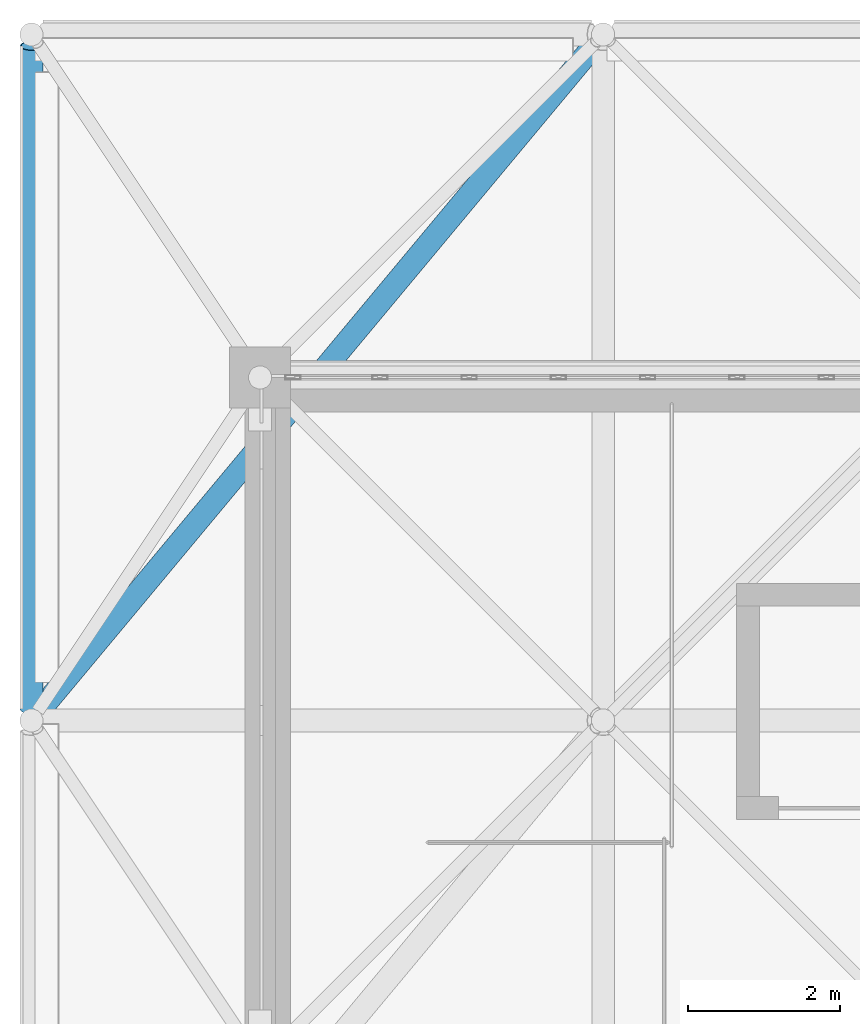
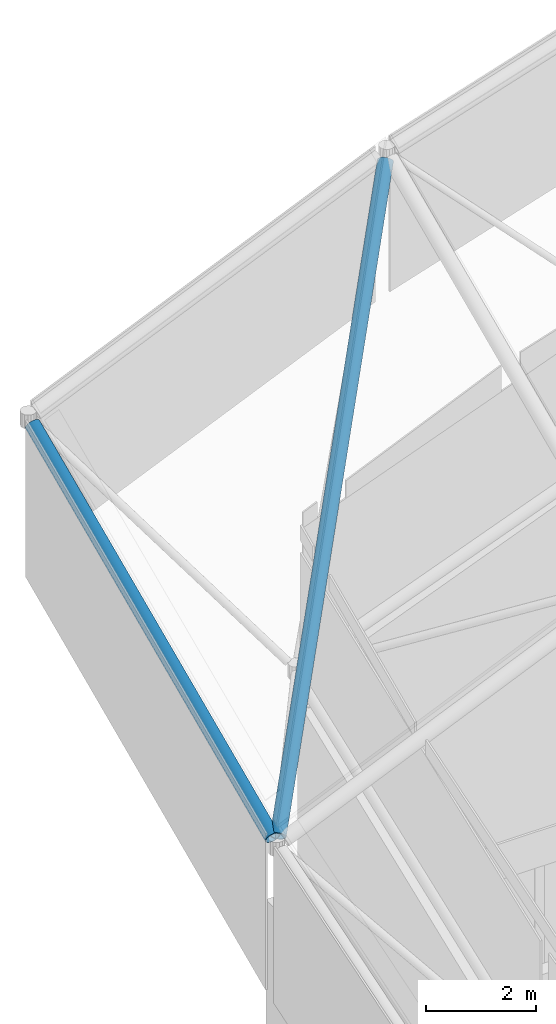
# One storey, part 102 of 437: 2 members.
"""IFC4 building model written with IfcOpenShell, lengths in metres."""

from ifc_helpers import new_model, si_unit, direction, frame, origin, origin_2d, place, context, subcontext, project, spatial, hollow_circle, extrude, material, material_profile, profile_set, type_object, element, save


model = new_model("IFC4")

# Units and contexts
model_context = context("Model", 3, precision=1e-05, world=origin(), true_north=direction((0.0, 1.0)))
body_context = subcontext(model_context, "Body", "Model", "MODEL_VIEW")
ifc_project = project(units=[si_unit("LENGTHUNIT", "METRE"), si_unit("AREAUNIT", "SQUARE_METRE"), si_unit("VOLUMEUNIT", "CUBIC_METRE"), si_unit("PLANEANGLEUNIT", "RADIAN"), si_unit("MASSUNIT", "GRAM", prefix="KILO")], contexts=[model_context])

# Site, building, storey
site_placement = place(None, origin())
site = spatial("IfcSite", under=ifc_project, at=site_placement, CompositionType="ELEMENT")
building_placement = place(site_placement, origin())
building = spatial("IfcBuilding", under=site, at=building_placement, Name="Opaline Strait Convention Centre", CompositionType="ELEMENT")
storey_placement = place(building_placement, frame((0.0, 0.0, 11.5)))
storey = spatial("IfcBuildingStorey", under=building, at=storey_placement, Name="L02", CompositionType="ELEMENT", Elevation=11.5)

# Members
ifc_material = material(Name="Steel Q355B", Category="steel")
ifc_material_profile = material_profile(ifc_material, hollow_circle(Radius=0.1494140625, WallThickness=0.01611328125, at=origin_2d()), Name="CHS 299x16")
ifc_profile_set = profile_set([ifc_material_profile], Name="Steel Q355B")
member_type = type_object("IfcMemberType", Name="Shell truss top chord CHS 299x16", PredefinedType="CHORD", material=ifc_profile_set)
member_1_placement = place(storey_placement, frame((6.0, 175.64990234375, 10.65771484375), z_axis=(0.0, 0.913813663494, 0.406133707555), x_axis=(-1.0, 0.0, 0.0)))
element("IfcMember", 1, at=member_1_placement, inside=storey, type_object=member_type, Name="PTC1 top chord Y1-8", PredefinedType="CHORD", context=body_context, shape_type="SweptSolid", body=[
    extrude(hollow_circle(Radius=0.1494140625, WallThickness=0.01611328125, at=origin_2d()), origin(), (0.0, 0.0, 1.0), 9.520751953125),
])
member_2_placement = place(storey_placement, frame((6.095947265625, 175.615234375, 10.683837890625), z_axis=(0.544298715513, 0.653143911981, 0.526442721037), x_axis=(-0.768214267482, 0.640192814109, 0.0)))
element("IfcMember", 2, at=member_2_placement, inside=storey, type_object=member_type, Name="PTC1 top chord D1-8", PredefinedType="CHORD", context=body_context, shape_type="SweptSolid", body=[
    extrude(hollow_circle(Radius=0.1494140625, WallThickness=0.01611328125, at=origin_2d()), origin(), (0.0, 0.0, 1.0), 13.4267578125),
])

save(model, "model.ifc")
